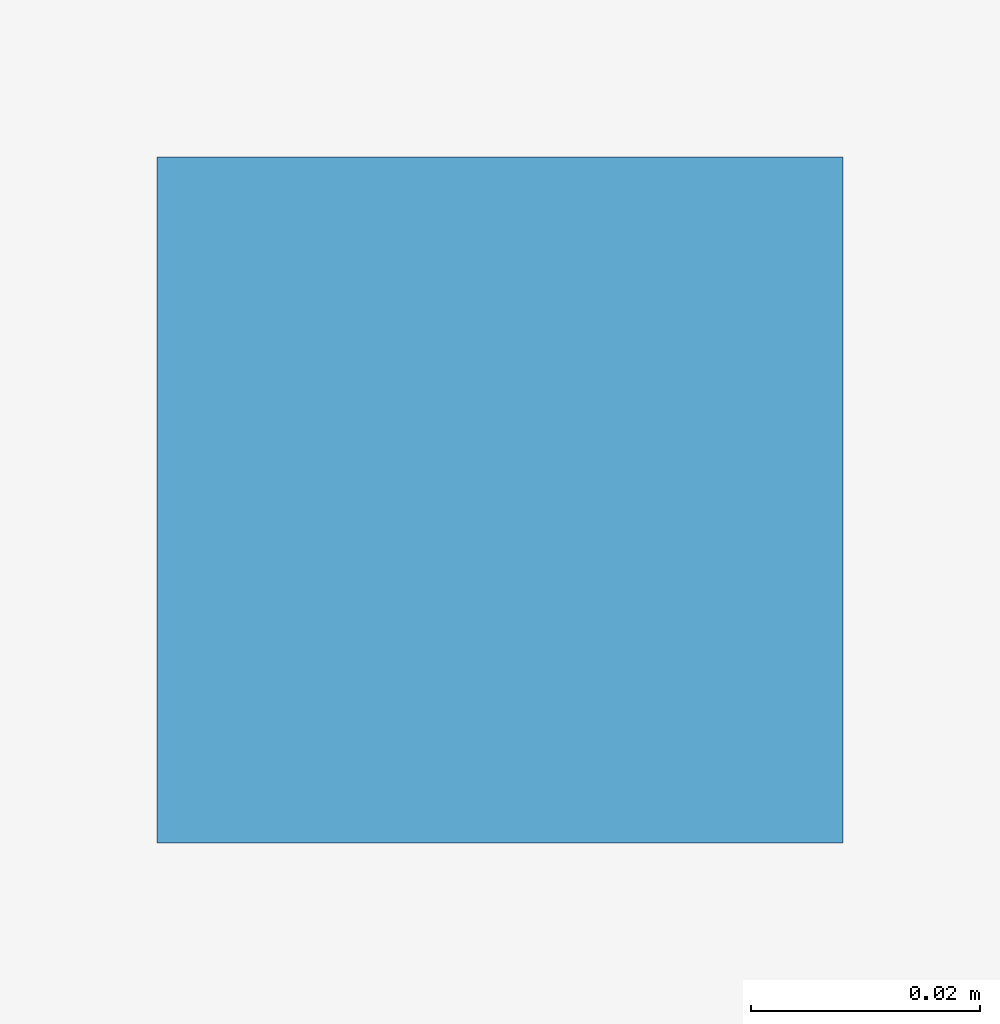
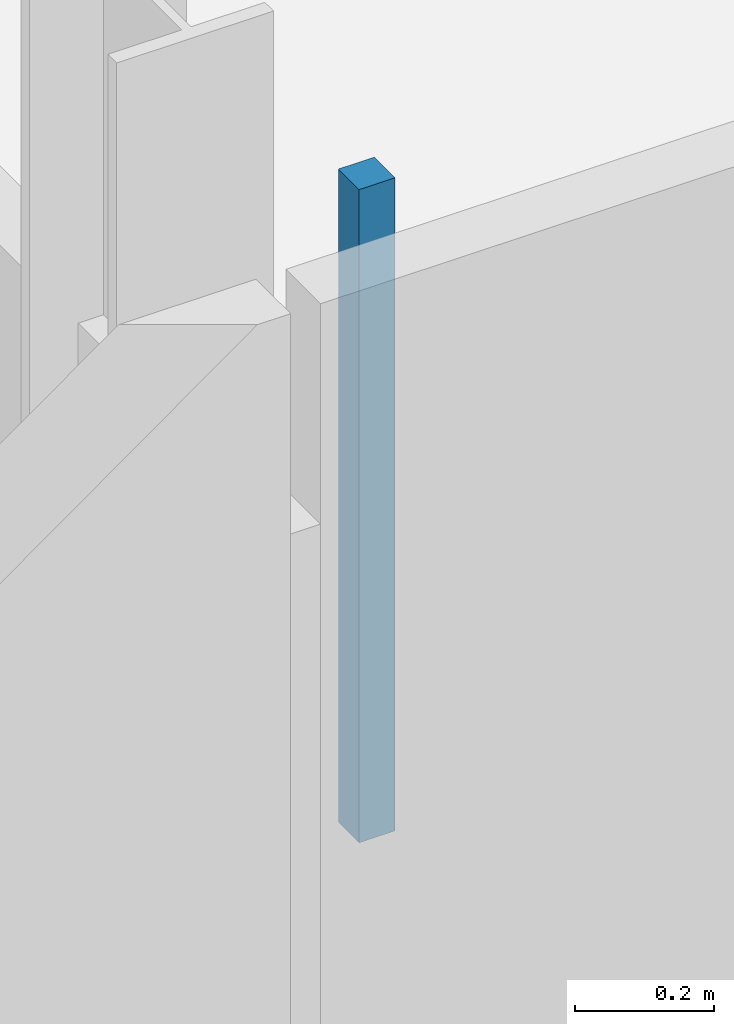
# One storey, part 63 of 93: 1 discrete accessory.
"""IFC4 building model written with IfcOpenShell, lengths in metres."""

from ifc_helpers import new_model, si_unit, direction, frame, origin, place, context, subcontext, project, spatial, polyline, outline, extrude, material, type_object, element, save


model = new_model("IFC4")

# Units and contexts
model_context = context("Model", 3, precision=1e-05, world=origin(), true_north=direction((0.0, 1.0)))
body_context = subcontext(model_context, "Body", "Model", "MODEL_VIEW")
ifc_project = project(units=[si_unit("LENGTHUNIT", "METRE"), si_unit("AREAUNIT", "SQUARE_METRE"), si_unit("VOLUMEUNIT", "CUBIC_METRE"), si_unit("PLANEANGLEUNIT", "RADIAN"), si_unit("MASSUNIT", "GRAM", prefix="KILO")], contexts=[model_context])

# Site, building, storey
site_placement = place(None, origin())
site = spatial("IfcSite", under=ifc_project, at=site_placement, CompositionType="ELEMENT")
building_placement = place(site_placement, origin())
building = spatial("IfcBuilding", under=site, at=building_placement, Name="Dunescarp Central Library", CompositionType="ELEMENT")
storey_placement = place(building_placement, frame((0.0, 0.0, 14.10009765625)))
storey = spatial("IfcBuildingStorey", under=building, at=storey_placement, Name="L03", CompositionType="ELEMENT", Elevation=14.10009765625)

# Discrete accessory
ifc_material = material(Name="Stainless steel Grade 316L", Category="steel")
discrete_accessory_type = type_object("IfcDiscreteAccessoryType", Name="ARC-ACC-BRK", PredefinedType="BRACKET", material=ifc_material)
discrete_accessory_placement = place(storey_placement, frame((0.0, 0.0, 3.059814453125)))
element("IfcDiscreteAccessory", 1, at=discrete_accessory_placement, inside=storey, type_object=discrete_accessory_type, Name="L03 ceiling hanger CLG-L03-074-H1", PredefinedType="BRACKET", context=body_context, shape_type="SweptSolid", body=[
    extrude(outline(polyline([(57.820068359375, 25.3701171875), (57.8798828125, 25.3701171875), (57.8798828125, 25.429931640625), (57.820068359375, 25.429931640625), (57.820068359375, 25.3701171875)])), origin(), (0.0, 0.0, 1.0), 1.150146484375),
])

save(model, "model.ifc")
